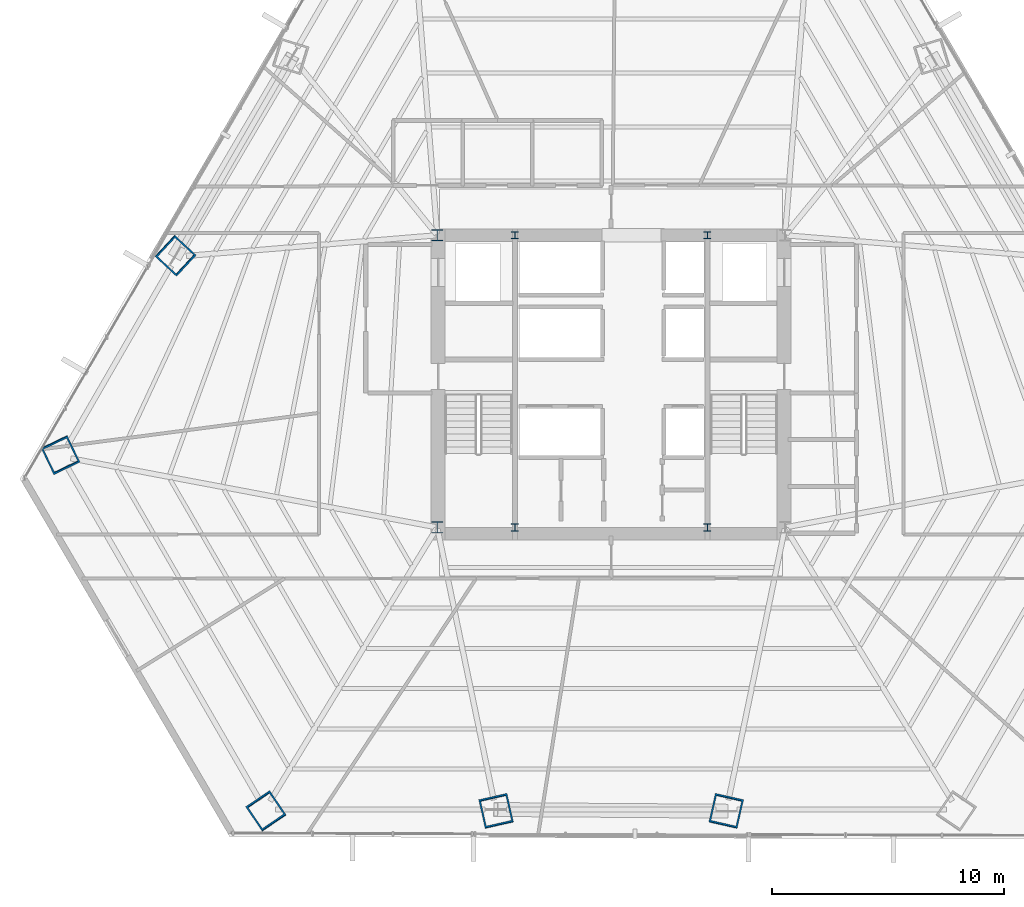
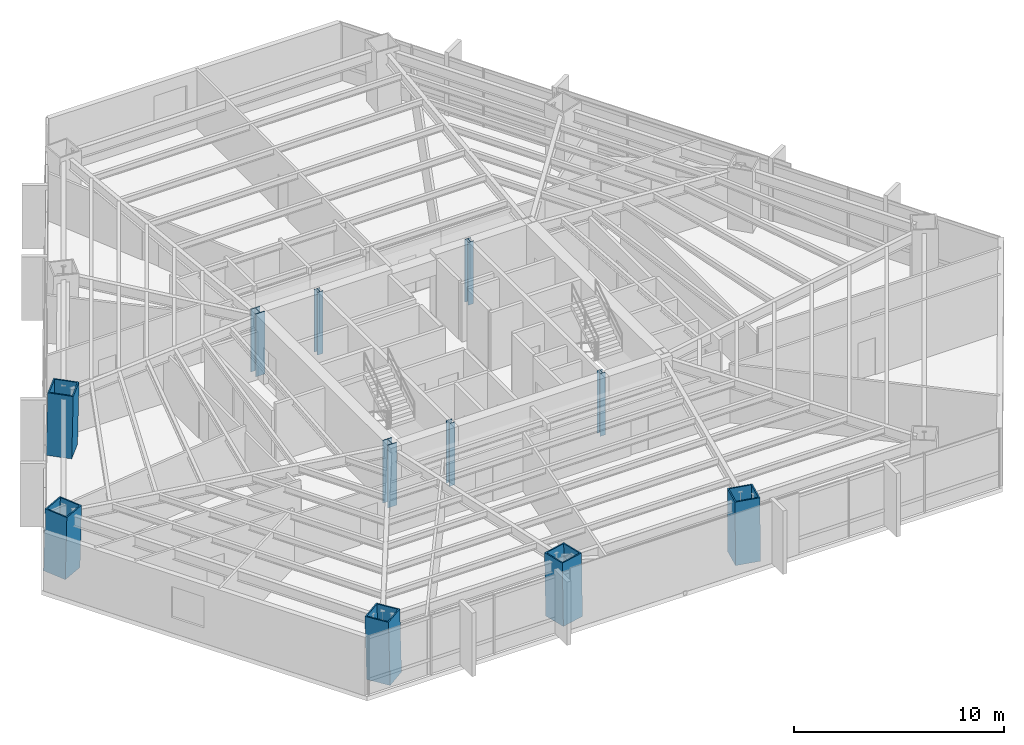
# One storey, part 1 of 37: 11 columns.
"""IFC4 building model written with IfcOpenShell, lengths in metres."""

from ifc_helpers import new_model, si_unit, direction, frame, origin, origin_2d, place, context, subcontext, project, spatial, hollow_rectangle, i_section, extrude, source, transform, mapped, material, material_profile, profile_set, type_object, type_shapes, element, save


model = new_model("IFC4")

# Units and contexts
model_context = context("Model", 3, precision=1e-05, world=origin(), true_north=direction((0.0, 1.0)))
body_context = subcontext(model_context, "Body", "Model", "MODEL_VIEW")
ifc_project = project(units=[si_unit("LENGTHUNIT", "METRE"), si_unit("AREAUNIT", "SQUARE_METRE"), si_unit("VOLUMEUNIT", "CUBIC_METRE"), si_unit("PLANEANGLEUNIT", "RADIAN"), si_unit("MASSUNIT", "GRAM", prefix="KILO")], contexts=[model_context])

# Site, building, storey
site_placement = place(None, origin())
site = spatial("IfcSite", under=ifc_project, at=site_placement, CompositionType="ELEMENT")
building_placement = place(site_placement, origin())
building = spatial("IfcBuilding", under=site, at=building_placement, Name="Caelisora Broadcast Tower", CompositionType="ELEMENT")
storey_placement = place(building_placement, frame((0.0, 0.0, 45.85009765625)))
storey = spatial("IfcBuildingStorey", under=building, at=storey_placement, Name="L11", CompositionType="ELEMENT", Elevation=45.85009765625)

# Columns
ifc_material_1 = material(Name="Steel Grade 350 (AS/NZS 3679.2)", Category="steel")
ifc_material_profile_1 = material_profile(ifc_material_1, i_section(OverallWidth=0.5, OverallDepth=0.5, WebThickness=0.028076171875, FlangeThickness=0.0400390625, at=origin_2d()), Name="Steel Grade 350 (AS/NZS 3679.2)")
ifc_profile_set_1 = profile_set([ifc_material_profile_1], Name="Steel Grade 350 (AS/NZS 3679.2)")
column_type_1 = type_object("IfcColumnType", Name="CC01", PredefinedType="COLUMN", material=ifc_profile_set_1)
shared_shape_1 = source(origin(), body_context, "Body", "SweptSolid", [
    extrude(i_section(OverallWidth=0.5, OverallDepth=0.5, WebThickness=0.028076171875, FlangeThickness=0.0400390625, at=origin_2d()), origin(), (0.0, 0.0, 1.0), 3.64990234375),
])
type_shapes(column_type_1, [shared_shape_1])
for number, where, z_axis, x_axis, name in (
    (1, (30.5, 17.39990234375, 0.0), (0.0, 0.0, 1.0), (1.0, 0.0, 0.0), "L11 column CC01"),
    (2, (30.5, 30.0, 0.0), (0.0, 0.0, 1.0), (1.0, 0.0, 0.0), "L11 column CC01"),
):
    element("IfcColumn", number, at=place(storey_placement, frame(where, z_axis=z_axis, x_axis=x_axis)), inside=storey, type_object=column_type_1, Name=name, PredefinedType="COLUMN", context=body_context, shape_type="MappedRepresentation", body=[
        mapped(shared_shape_1, transform((0.0, 0.0, 0.0), scale=1.0)),
    ])
ifc_material_2 = material(Name="Steel Grade 350 (AS/NZS 3679.1)", Category="steel")
ifc_material_profile_2 = material_profile(ifc_material_2, i_section(OverallWidth=0.306884765625, OverallDepth=0.314697265625, WebThickness=0.011962890625, FlangeThickness=0.018798828125, at=origin_2d()), Name="Steel Grade 350 (AS/NZS 3679.1)")
ifc_profile_set_2 = profile_set([ifc_material_profile_2], Name="Steel Grade 350 (AS/NZS 3679.1)")
column_type_2 = type_object("IfcColumnType", Name="CC04", PredefinedType="COLUMN", material=ifc_profile_set_2)
shared_shape_2 = source(origin(), body_context, "Body", "SweptSolid", [
    extrude(i_section(OverallWidth=0.306884765625, OverallDepth=0.314697265625, WebThickness=0.011962890625, FlangeThickness=0.018798828125, at=origin_2d()), origin(), (0.0, 0.0, 1.0), 3.64990234375),
])
type_shapes(column_type_2, [shared_shape_2])
for number, where, z_axis, x_axis, name in (
    (3, (33.85009765625, 17.39990234375, 0.0), (0.0, 0.0, 1.0), (1.0, 0.0, 0.0), "L11 column CC04"),
    (4, (42.14990234375, 17.39990234375, 0.0), (0.0, 0.0, 1.0), (1.0, 0.0, 0.0), "L11 column CC04"),
    (5, (33.85009765625, 30.0, 0.0), (0.0, 0.0, 1.0), (1.0, 0.0, 0.0), "L11 column CC04"),
    (6, (42.14990234375, 30.0, 0.0), (0.0, 0.0, 1.0), (1.0, 0.0, 0.0), "L11 column CC04"),
):
    element("IfcColumn", number, at=place(storey_placement, frame(where, z_axis=z_axis, x_axis=x_axis)), inside=storey, type_object=column_type_2, Name=name, PredefinedType="COLUMN", context=body_context, shape_type="MappedRepresentation", body=[
        mapped(shared_shape_2, transform((0.0, 0.0, 0.0), scale=1.0)),
    ])
ifc_material_3 = material(Name="Steel Grade 350 L15 (AS/NZS 3678)", Category="steel")
ifc_material_profile_3 = material_profile(ifc_material_3, hollow_rectangle(XDim=1.25, YDim=1.25, WallThickness=0.070068359375, at=origin_2d()), Name="Steel Grade 350 L15 (AS/NZS 3678)")
ifc_profile_set_3 = profile_set([ifc_material_profile_3], Name="Steel Grade 350 L15 (AS/NZS 3678)")
column_type_3 = type_object("IfcColumnType", Name="MC02", PredefinedType="COLUMN", material=ifc_profile_set_3)
shared_shape_3 = source(origin(), body_context, "Body", "SweptSolid", [
    extrude(hollow_rectangle(XDim=1.25, YDim=1.25, WallThickness=0.070068359375, at=origin_2d()), origin(), (0.0, 0.0, 1.0), 3.65087890625),
])
for number, where, z_axis, x_axis, name in (
    (7, (14.246337890625, 20.534423828125, 0.0), (0.010364932146, -0.021532310652, 0.999714423113), (0.901042175273, 0.433731481886, 0.0), "L11 column MC02"),
    (8, (23.121826171875, 5.16162109375, 0.0), (-0.013440967269, 0.019793663242, 0.999713734673), (-0.827290216258, -0.561774775229, 0.0), "L11 column MC02"),
):
    element("IfcColumn", number, at=place(storey_placement, frame(where, z_axis=z_axis, x_axis=x_axis)), inside=storey, type_object=column_type_3, Name=name, PredefinedType="COLUMN", context=body_context, shape_type="MappedRepresentation", body=[
        mapped(shared_shape_3, transform((0.0, 0.0, 0.0), scale=1.0)),
    ])
shared_shape_4 = source(origin(), body_context, "Body", "SweptSolid", [
    extrude(hollow_rectangle(XDim=1.25, YDim=1.25, WallThickness=0.070068359375, at=origin_2d()), origin(), (0.0, 0.0, 1.0), 3.650634765625),
])
type_shapes(column_type_3, [shared_shape_3, shared_shape_4])
for number, where, z_axis, x_axis, name in (
    (9, (19.205810546875, 29.124267578125, 0.0), (0.014846452328, -0.013776437746, 0.99979487527), (0.68019775991, 0.733028653883, 0.0), "L11 column MC02"),
    (10, (33.04052734375, 5.16162109375, 0.0), (-0.004480682206, 0.019795252729, 0.999794014513), (-0.975326687046, -0.220766513622, 0.0), "L11 column MC02"),
    (11, (42.95947265625, 5.16162109375, 0.0), (0.004480682206, 0.019795252729, 0.999794014513), (-0.975326687046, 0.220766513622, 0.0), "L11 column MC02"),
):
    element("IfcColumn", number, at=place(storey_placement, frame(where, z_axis=z_axis, x_axis=x_axis)), inside=storey, type_object=column_type_3, Name=name, PredefinedType="COLUMN", context=body_context, shape_type="MappedRepresentation", body=[
        mapped(shared_shape_4, transform((0.0, 0.0, 0.0), scale=1.0)),
    ])

save(model, "model.ifc")
